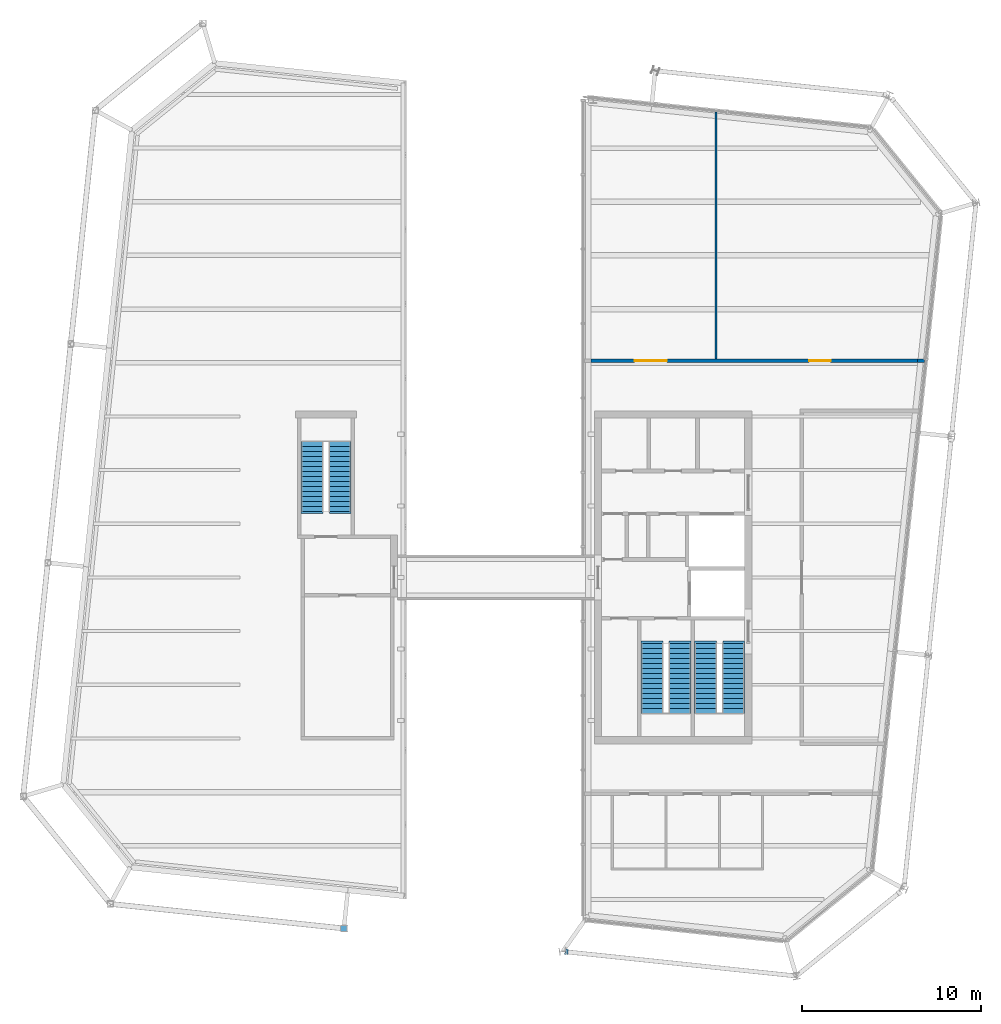
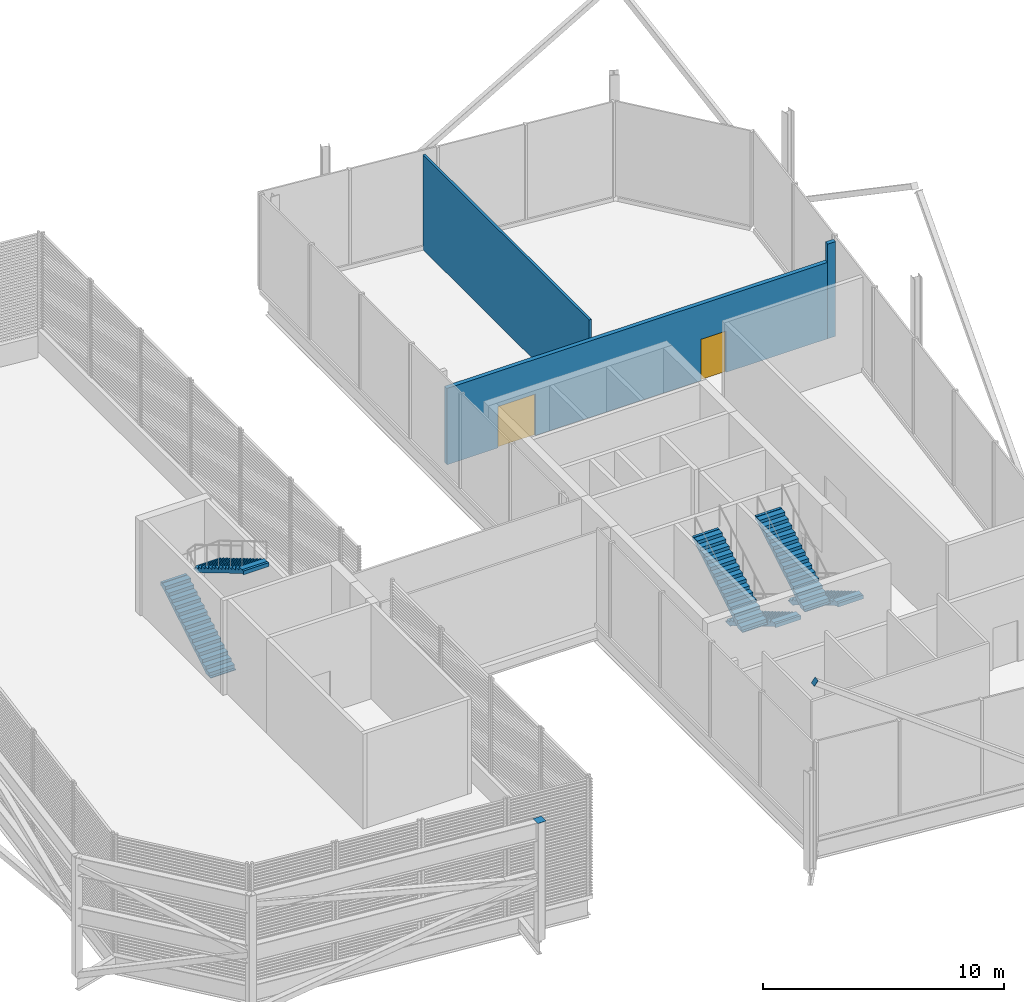
# One storey, part 12 of 15: 6 stair flights, 3 walls, 2 discrete accessories, 2 doors, 2 openings, 3 elements without a shape of their own.
"""IFC4 building model written with IfcOpenShell, lengths in metres."""

from ifc_helpers import new_model, si_unit, direction, frame, frame_2d, origin, origin_2d, place, context, subcontext, project, spatial, polyline, rectangle, outline, extrude, material, layer, layer_set, type_object, element, fill, aggregate, save


model = new_model("IFC4")

# Units and contexts
model_context = context("Model", 3, precision=1e-05, world=origin(), true_north=direction((0.0, 1.0)))
body_context = subcontext(model_context, "Body", "Model", "MODEL_VIEW")
ifc_project = project(units=[si_unit("LENGTHUNIT", "METRE"), si_unit("AREAUNIT", "SQUARE_METRE"), si_unit("VOLUMEUNIT", "CUBIC_METRE"), si_unit("PLANEANGLEUNIT", "RADIAN"), si_unit("MASSUNIT", "GRAM", prefix="KILO")], contexts=[model_context])

# Site, building, storey
site_placement = place(None, origin())
site = spatial("IfcSite", under=ifc_project, at=site_placement, CompositionType="ELEMENT")
building_placement = place(site_placement, origin())
building = spatial("IfcBuilding", under=site, at=building_placement, Name="Millrace Tower", CompositionType="ELEMENT")
storey_placement = place(building_placement, frame((0.0, 0.0, 352.10009765625)))
storey = spatial("IfcBuildingStorey", under=building, at=storey_placement, Name="L81", CompositionType="ELEMENT", Elevation=352.10009765625)

# Wall, openings, doors
ifc_material_1 = material(Name="Masonry partition, fire-rated", Category="masonry")
ifc_layer_1 = layer(ifc_material_1, 0.199951171875)
ifc_layer_set_1 = layer_set([ifc_layer_1], Name="Masonry partition, fire-rated")
wall_type_1 = type_object("IfcWallType", Name="Corridor wall 200", PredefinedType="PARTITIONING", material=ifc_layer_set_1)
wall_1_placement = place(storey_placement, frame((5.307373046875, 12.10009765625, 0.0), z_axis=(0.0, 0.0, 1.0), x_axis=(1.0, 0.0, 0.0)))
wall_1 = element("IfcWall", 1, at=wall_1_placement, inside=storey, type_object=wall_type_1, Name="Corridor wall L81", PredefinedType="PARTITIONING", context=body_context, shape_type="SweptSolid", body=[
    extrude(rectangle(XDim=18.262939453125, YDim=0.199951171875, at=frame_2d((9.13134765625, 0.0))), origin(), (0.0, 0.0, 1.0), 3.872802734375),
])
opening_1_placement = place(wall_1_placement, frame((2.437744140625, 0.0, 0.0)))
opening_1 = element("IfcOpeningElement", 2, at=opening_1_placement, cuts=wall_1, Name="Opening 81-P001", PredefinedType="OPENING", context=body_context, shape_type="SweptSolid", body=[
    extrude(rectangle(XDim=1.800048828125, YDim=2.10009765625, at=frame_2d((0.89990234375, 1.050048828125))), frame((0.0, 0.10986328125, 0.0), z_axis=(0.0, -1.0, 0.0), x_axis=(1.0, 0.0, 0.0)), (0.0, 0.0, 1.0), 0.219970703125),
])
opening_2_placement = place(wall_1_placement, frame((12.192626953125, 0.0, 0.0)))
opening_2 = element("IfcOpeningElement", 3, at=opening_2_placement, cuts=wall_1, Name="Opening 81-P002", PredefinedType="OPENING", context=body_context, shape_type="SweptSolid", body=[
    extrude(rectangle(XDim=1.199951171875, YDim=2.10009765625, at=frame_2d((0.60009765625, 1.050048828125))), frame((0.0, 0.10986328125, 0.0), z_axis=(0.0, -1.0, 0.0), x_axis=(1.0, 0.0, 0.0)), (0.0, 0.0, 1.0), 0.219970703125),
])
ifc_material_2 = material(Name="Steel door set, fire-rated", Category="steel")
door_type_1 = type_object("IfcDoorType", Name="Corridor door 1200 x 2100", OperationType="SINGLE_SWING_LEFT", PredefinedType="DOOR", material=ifc_material_2)
door_1_placement = place(opening_2_placement, frame((1.199951171875, 0.0, 0.0), z_axis=(0.0, 0.0, 1.0), x_axis=(-1.0, 0.0, 0.0)))
door_1 = element("IfcDoor", 4, at=door_1_placement, inside=storey, type_object=door_type_1, Name="Door 81-P002", OperationType="SINGLE_SWING_LEFT", OverallHeight=2.10009765625, OverallWidth=1.199951171875, PredefinedType="DOOR", context=body_context, shape_type="SweptSolid", body=[
    extrude(rectangle(XDim=1.199951171875, YDim=2.10009765625, at=frame_2d((0.60009765625, 1.050048828125))), frame((0.0, 0.02490234375, 0.0), z_axis=(0.0, -1.0, 0.0), x_axis=(1.0, 0.0, 0.0)), (0.0, 0.0, 1.0), 0.050048828125),
])
fill(opening_2, door_1)
ifc_material_3 = material(Name="Steel door set, fire-rated", Category="steel")
door_type_2 = type_object("IfcDoorType", Name="Corridor door 1800 x 2100", OperationType="DOUBLE_DOOR_SINGLE_SWING", PredefinedType="DOOR", material=ifc_material_3)
door_2_placement = place(opening_1_placement, origin())
door_2 = element("IfcDoor", 5, at=door_2_placement, inside=storey, type_object=door_type_2, Name="Door 81-P001", OperationType="DOUBLE_DOOR_SINGLE_SWING", OverallHeight=2.10009765625, OverallWidth=1.800048828125, PredefinedType="DOOR", context=body_context, shape_type="SweptSolid", body=[
    extrude(rectangle(XDim=1.800048828125, YDim=2.10009765625, at=frame_2d((0.89990234375, 1.050048828125))), frame((0.0, 0.02490234375, 0.0), z_axis=(0.0, -1.0, 0.0), x_axis=(1.0, 0.0, 0.0)), (0.0, 0.0, 1.0), 0.050048828125),
])
fill(opening_1, door_2)

# Walls
wall_2_placement = place(storey_placement, frame((23.5703125, 12.10009765625, 0.0), z_axis=(0.0, 0.0, 1.0), x_axis=(1.0, 0.0, 0.0)))
element("IfcWall", 6, at=wall_2_placement, inside=storey, type_object=wall_type_1, Name="Corridor wall L81", PredefinedType="PARTITIONING", context=body_context, shape_type="SweptSolid", body=[
    extrude(rectangle(XDim=0.3798828125, YDim=0.199951171875, at=frame_2d((0.18994140625, 0.0))), origin(), (0.0, 0.0, 1.0), 4.7998046875),
])
ifc_material_4 = material(Name="Gypsum board partition")
ifc_layer_2 = layer(ifc_material_4, 0.1201171875)
ifc_layer_set_2 = layer_set([ifc_layer_2], Name="Gypsum board partition")
wall_type_2 = type_object("IfcWallType", Name="Partition wall 120", PredefinedType="PARTITIONING", material=ifc_layer_set_2)
wall_3_placement = place(storey_placement, frame((12.300048828125, 12.199951171875, 0.0), z_axis=(0.0, 0.0, 1.0), x_axis=(0.0, 1.0, 0.0)))
element("IfcWall", 7, at=wall_3_placement, inside=storey, type_object=wall_type_2, Name="Partition wall L81", PredefinedType="PARTITIONING", context=body_context, shape_type="SweptSolid", body=[
    extrude(rectangle(XDim=13.81396484375, YDim=0.1201171875, at=frame_2d((6.906982421875, 0.0))), origin(), (0.0, 0.0, 1.0), 4.7998046875),
])

# Stair, stair flights
ifc_material_5 = material(Name="Concrete C35", Category="concrete")
stair_type = type_object("IfcStairType", Name="Exit stair", PredefinedType="HALF_TURN_STAIR", material=ifc_material_5)
placement = place(storey_placement, origin())
stair_1 = element("IfcStair", 8, at=placement, inside=storey, type_object=stair_type, Name="Stair 2 W L81", PredefinedType="HALF_TURN_STAIR")
ifc_material_6 = material(Name="Concrete C35", Category="concrete")
stair_flight_type = type_object("IfcStairFlightType", Name="Exit stair flight", PredefinedType="STRAIGHT", material=ifc_material_6)
stair_flight_1_placement = place(storey_placement, frame((-10.2900390625, 3.679931640625, 0.0), z_axis=(0.0, 0.0, 1.0), x_axis=(0.0, 1.0, 0.0)))
stair_flight_1 = element("IfcStairFlight", 9, at=stair_flight_1_placement, type_object=stair_flight_type, Name="ST12 flight 1", NumberOfRisers=15, NumberOfTreads=14, PredefinedType="STRAIGHT", RiserHeight=0.166666667, TreadLength=0.28, context=body_context, shape_type="SweptSolid", body=[
    extrude(outline(polyline([(-0.1201171875, -0.0400390625), (-0.1201171875, 0.0), (0.0, 0.0), (0.0, 0.166748046875), (0.280029296875, 0.166748046875), (0.280029296875, 0.333251953125), (0.56005859375, 0.333251953125), (0.56005859375, 0.5), (0.840087890625, 0.5), (0.840087890625, 0.666748046875), (1.1201171875, 0.666748046875), (1.1201171875, 0.833251953125), (1.39990234375, 0.833251953125), (1.39990234375, 1.0), (1.679931640625, 1.0), (1.679931640625, 1.166748046875), (1.9599609375, 1.166748046875), (1.9599609375, 1.333251953125), (2.239990234375, 1.333251953125), (2.239990234375, 1.5), (2.52001953125, 1.5), (2.52001953125, 1.666748046875), (2.800048828125, 1.666748046875), (2.800048828125, 1.833251953125), (3.080078125, 1.833251953125), (3.080078125, 2.0), (3.360107421875, 2.0), (3.360107421875, 2.166748046875), (3.639892578125, 2.166748046875), (3.639892578125, 2.333251953125), (3.919921875, 2.333251953125), (3.919921875, 2.353271484375), (4.0400390625, 2.353271484375), (4.0400390625, 2.158935546875), (3.919921875, 2.158935546875), (0.29296875, 0.0), (0.29296875, -0.0400390625), (-0.1201171875, -0.0400390625)])), frame((0.0, 0.60986328125, 0.0), z_axis=(0.0, -1.0, 0.0), x_axis=(1.0, 0.0, 0.0)), (0.0, 0.0, 1.0), 1.219970703125),
])
stair_flight_2_placement = place(storey_placement, frame((-8.7099609375, 7.60009765625, 2.5), z_axis=(0.0, 0.0, 1.0), x_axis=(0.0, -1.0, 0.0)))
stair_flight_2 = element("IfcStairFlight", 10, at=stair_flight_2_placement, type_object=stair_flight_type, Name="ST12 flight 2", NumberOfRisers=15, NumberOfTreads=14, PredefinedType="STRAIGHT", RiserHeight=0.166666667, TreadLength=0.28, context=body_context, shape_type="SweptSolid", body=[
    extrude(outline(polyline([(-0.1201171875, -0.0400390625), (-0.1201171875, 0.0), (0.0, 0.0), (0.0, 0.166748046875), (0.280029296875, 0.166748046875), (0.280029296875, 0.333251953125), (0.56005859375, 0.333251953125), (0.56005859375, 0.5), (0.840087890625, 0.5), (0.840087890625, 0.666748046875), (1.1201171875, 0.666748046875), (1.1201171875, 0.833251953125), (1.39990234375, 0.833251953125), (1.39990234375, 1.0), (1.679931640625, 1.0), (1.679931640625, 1.166748046875), (1.9599609375, 1.166748046875), (1.9599609375, 1.333251953125), (2.239990234375, 1.333251953125), (2.239990234375, 1.5), (2.52001953125, 1.5), (2.52001953125, 1.666748046875), (2.800048828125, 1.666748046875), (2.800048828125, 1.833251953125), (3.080078125, 1.833251953125), (3.080078125, 2.0), (3.360107421875, 2.0), (3.360107421875, 2.166748046875), (3.639892578125, 2.166748046875), (3.639892578125, 2.333251953125), (3.919921875, 2.333251953125), (3.919921875, 2.353271484375), (4.0400390625, 2.353271484375), (4.0400390625, 2.158935546875), (3.919921875, 2.158935546875), (0.29296875, 0.0), (0.29296875, -0.0400390625), (-0.1201171875, -0.0400390625)])), frame((0.0, 0.60986328125, 0.0), z_axis=(0.0, -1.0, 0.0), x_axis=(1.0, 0.0, 0.0)), (0.0, 0.0, 1.0), 1.219970703125),
])
aggregate(stair_1, [stair_flight_1, stair_flight_2])

stair_2 = element("IfcStair", 11, at=placement, inside=storey, type_object=stair_type, Name="Stair 1 E L81", PredefinedType="HALF_TURN_STAIR")
stair_flight_3_placement = place(storey_placement, frame((13.2900390625, -3.679931640625, 0.0), z_axis=(0.0, 0.0, 1.0), x_axis=(0.0, -1.0, 0.0)))
stair_flight_3 = element("IfcStairFlight", 12, at=stair_flight_3_placement, type_object=stair_flight_type, Name="ST12 flight 1", NumberOfRisers=15, NumberOfTreads=14, PredefinedType="STRAIGHT", RiserHeight=0.166666667, TreadLength=0.28, context=body_context, shape_type="SweptSolid", body=[
    extrude(outline(polyline([(-0.1201171875, -0.0400390625), (-0.1201171875, 0.0), (0.0, 0.0), (0.0, 0.166748046875), (0.280029296875, 0.166748046875), (0.280029296875, 0.333251953125), (0.56005859375, 0.333251953125), (0.56005859375, 0.5), (0.840087890625, 0.5), (0.840087890625, 0.666748046875), (1.1201171875, 0.666748046875), (1.1201171875, 0.833251953125), (1.39990234375, 0.833251953125), (1.39990234375, 1.0), (1.679931640625, 1.0), (1.679931640625, 1.166748046875), (1.9599609375, 1.166748046875), (1.9599609375, 1.333251953125), (2.239990234375, 1.333251953125), (2.239990234375, 1.5), (2.52001953125, 1.5), (2.52001953125, 1.666748046875), (2.800048828125, 1.666748046875), (2.800048828125, 1.833251953125), (3.080078125, 1.833251953125), (3.080078125, 2.0), (3.360107421875, 2.0), (3.360107421875, 2.166748046875), (3.639892578125, 2.166748046875), (3.639892578125, 2.333251953125), (3.919921875, 2.333251953125), (3.919921875, 2.353271484375), (4.0400390625, 2.353271484375), (4.0400390625, 2.158935546875), (3.919921875, 2.158935546875), (0.29296875, 0.0), (0.29296875, -0.0400390625), (-0.1201171875, -0.0400390625)])), frame((0.0, 0.60986328125, 0.0), z_axis=(0.0, -1.0, 0.0), x_axis=(1.0, 0.0, 0.0)), (0.0, 0.0, 1.0), 1.219970703125),
])
stair_flight_4_placement = place(storey_placement, frame((11.7099609375, -7.60009765625, 2.5), z_axis=(0.0, 0.0, 1.0), x_axis=(0.0, 1.0, 0.0)))
stair_flight_4 = element("IfcStairFlight", 13, at=stair_flight_4_placement, type_object=stair_flight_type, Name="ST12 flight 2", NumberOfRisers=15, NumberOfTreads=14, PredefinedType="STRAIGHT", RiserHeight=0.166666667, TreadLength=0.28, context=body_context, shape_type="SweptSolid", body=[
    extrude(outline(polyline([(-0.1201171875, -0.0400390625), (-0.1201171875, 0.0), (0.0, 0.0), (0.0, 0.166748046875), (0.280029296875, 0.166748046875), (0.280029296875, 0.333251953125), (0.56005859375, 0.333251953125), (0.56005859375, 0.5), (0.840087890625, 0.5), (0.840087890625, 0.666748046875), (1.1201171875, 0.666748046875), (1.1201171875, 0.833251953125), (1.39990234375, 0.833251953125), (1.39990234375, 1.0), (1.679931640625, 1.0), (1.679931640625, 1.166748046875), (1.9599609375, 1.166748046875), (1.9599609375, 1.333251953125), (2.239990234375, 1.333251953125), (2.239990234375, 1.5), (2.52001953125, 1.5), (2.52001953125, 1.666748046875), (2.800048828125, 1.666748046875), (2.800048828125, 1.833251953125), (3.080078125, 1.833251953125), (3.080078125, 2.0), (3.360107421875, 2.0), (3.360107421875, 2.166748046875), (3.639892578125, 2.166748046875), (3.639892578125, 2.333251953125), (3.919921875, 2.333251953125), (3.919921875, 2.353271484375), (4.0400390625, 2.353271484375), (4.0400390625, 2.158935546875), (3.919921875, 2.158935546875), (0.29296875, 0.0), (0.29296875, -0.0400390625), (-0.1201171875, -0.0400390625)])), frame((0.0, 0.60986328125, 0.0), z_axis=(0.0, -1.0, 0.0), x_axis=(1.0, 0.0, 0.0)), (0.0, 0.0, 1.0), 1.219970703125),
])
aggregate(stair_2, [stair_flight_3, stair_flight_4])

stair_3 = element("IfcStair", 14, at=placement, inside=storey, type_object=stair_type, Name="Stair 2 E L81", PredefinedType="HALF_TURN_STAIR")
stair_flight_5_placement = place(storey_placement, frame((10.2900390625, -3.679931640625, 0.0), z_axis=(0.0, 0.0, 1.0), x_axis=(0.0, -1.0, 0.0)))
stair_flight_5 = element("IfcStairFlight", 15, at=stair_flight_5_placement, type_object=stair_flight_type, Name="ST12 flight 1", NumberOfRisers=15, NumberOfTreads=14, PredefinedType="STRAIGHT", RiserHeight=0.166666667, TreadLength=0.28, context=body_context, shape_type="SweptSolid", body=[
    extrude(outline(polyline([(-0.1201171875, -0.0400390625), (-0.1201171875, 0.0), (0.0, 0.0), (0.0, 0.166748046875), (0.280029296875, 0.166748046875), (0.280029296875, 0.333251953125), (0.56005859375, 0.333251953125), (0.56005859375, 0.5), (0.840087890625, 0.5), (0.840087890625, 0.666748046875), (1.1201171875, 0.666748046875), (1.1201171875, 0.833251953125), (1.39990234375, 0.833251953125), (1.39990234375, 1.0), (1.679931640625, 1.0), (1.679931640625, 1.166748046875), (1.9599609375, 1.166748046875), (1.9599609375, 1.333251953125), (2.239990234375, 1.333251953125), (2.239990234375, 1.5), (2.52001953125, 1.5), (2.52001953125, 1.666748046875), (2.800048828125, 1.666748046875), (2.800048828125, 1.833251953125), (3.080078125, 1.833251953125), (3.080078125, 2.0), (3.360107421875, 2.0), (3.360107421875, 2.166748046875), (3.639892578125, 2.166748046875), (3.639892578125, 2.333251953125), (3.919921875, 2.333251953125), (3.919921875, 2.353271484375), (4.0400390625, 2.353271484375), (4.0400390625, 2.158935546875), (3.919921875, 2.158935546875), (0.29296875, 0.0), (0.29296875, -0.0400390625), (-0.1201171875, -0.0400390625)])), frame((0.0, 0.60986328125, 0.0), z_axis=(0.0, -1.0, 0.0), x_axis=(1.0, 0.0, 0.0)), (0.0, 0.0, 1.0), 1.219970703125),
])
stair_flight_6_placement = place(storey_placement, frame((8.7099609375, -7.60009765625, 2.5), z_axis=(0.0, 0.0, 1.0), x_axis=(0.0, 1.0, 0.0)))
stair_flight_6 = element("IfcStairFlight", 16, at=stair_flight_6_placement, type_object=stair_flight_type, Name="ST12 flight 2", NumberOfRisers=15, NumberOfTreads=14, PredefinedType="STRAIGHT", RiserHeight=0.166666667, TreadLength=0.28, context=body_context, shape_type="SweptSolid", body=[
    extrude(outline(polyline([(-0.1201171875, -0.0400390625), (-0.1201171875, 0.0), (0.0, 0.0), (0.0, 0.166748046875), (0.280029296875, 0.166748046875), (0.280029296875, 0.333251953125), (0.56005859375, 0.333251953125), (0.56005859375, 0.5), (0.840087890625, 0.5), (0.840087890625, 0.666748046875), (1.1201171875, 0.666748046875), (1.1201171875, 0.833251953125), (1.39990234375, 0.833251953125), (1.39990234375, 1.0), (1.679931640625, 1.0), (1.679931640625, 1.166748046875), (1.9599609375, 1.166748046875), (1.9599609375, 1.333251953125), (2.239990234375, 1.333251953125), (2.239990234375, 1.5), (2.52001953125, 1.5), (2.52001953125, 1.666748046875), (2.800048828125, 1.666748046875), (2.800048828125, 1.833251953125), (3.080078125, 1.833251953125), (3.080078125, 2.0), (3.360107421875, 2.0), (3.360107421875, 2.166748046875), (3.639892578125, 2.166748046875), (3.639892578125, 2.333251953125), (3.919921875, 2.333251953125), (3.919921875, 2.353271484375), (4.0400390625, 2.353271484375), (4.0400390625, 2.158935546875), (3.919921875, 2.158935546875), (0.29296875, 0.0), (0.29296875, -0.0400390625), (-0.1201171875, -0.0400390625)])), frame((0.0, 0.60986328125, 0.0), z_axis=(0.0, -1.0, 0.0), x_axis=(1.0, 0.0, 0.0)), (0.0, 0.0, 1.0), 1.219970703125),
])
aggregate(stair_3, [stair_flight_5, stair_flight_6])

# Discrete accessories
ifc_material_7 = material(Name="Steel ASTM A36", Category="steel")
ifc_layer_3 = layer(ifc_material_7, 0.011962890625)
ifc_layer_set_3 = layer_set([ifc_layer_3], Name="Steel ASTM A36")
discrete_accessory_type_1 = type_object("IfcDiscreteAccessoryType", Name="CROWN FRAME post cap plate 400", PredefinedType="BRACKET", material=ifc_layer_set_3)
discrete_accessory_1_placement = place(storey_placement, frame((-8.50341796875, -19.62158203125, 6.0), z_axis=(0.0, 0.0, 1.0), x_axis=(1.0, 0.0, 0.0)))
element("IfcDiscreteAccessory", 17, at=discrete_accessory_1_placement, inside=storey, type_object=discrete_accessory_type_1, Name="CROWN FRAME post cap plate W.4", PredefinedType="BRACKET", context=body_context, shape_type="SweptSolid", body=[
    extrude(rectangle(XDim=0.39990234375, YDim=0.39990234375, at=origin_2d()), origin(), (0.0, 0.0, 1.0), 0.011962890625),
])
ifc_material_8 = material(Name="Steel ASTM A36", Category="steel")
ifc_layer_4 = layer(ifc_material_8, 0.011962890625)
ifc_layer_set_4 = layer_set([ifc_layer_4], Name="Steel ASTM A36")
discrete_accessory_type_2 = type_object("IfcDiscreteAccessoryType", Name="Hollow section end plate 300", PredefinedType="BRACKET", material=ifc_layer_set_4)
discrete_accessory_2_placement = place(storey_placement, frame((3.9443359375, -20.929931640625, 9.448486328125), z_axis=(-0.816496580928, 0.081649658093, 0.571547606649), x_axis=(-0.099503719021, -0.99503719021, 0.0)))
element("IfcDiscreteAccessory", 18, at=discrete_accessory_2_placement, inside=storey, type_object=discrete_accessory_type_2, Name="Exoskeleton brace head end plate CROWN-L81-01", PredefinedType="BRACKET", context=body_context, shape_type="SweptSolid", body=[
    extrude(rectangle(XDim=0.300048828125, YDim=0.300048828125, at=origin_2d()), origin(), (0.0, 0.0, 1.0), 0.011962890625),
])

save(model, "model.ifc")
